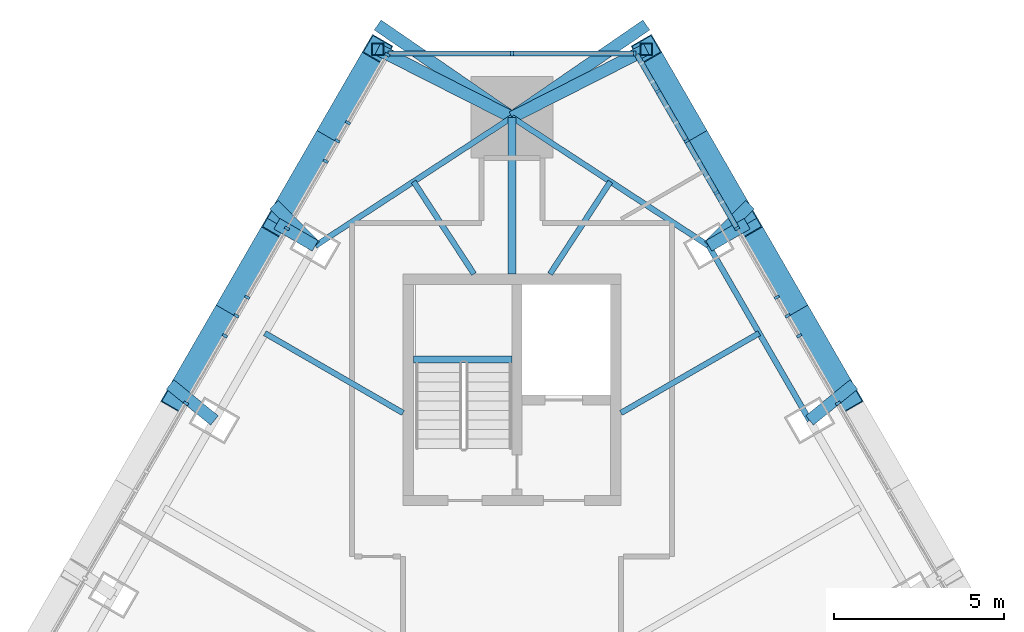
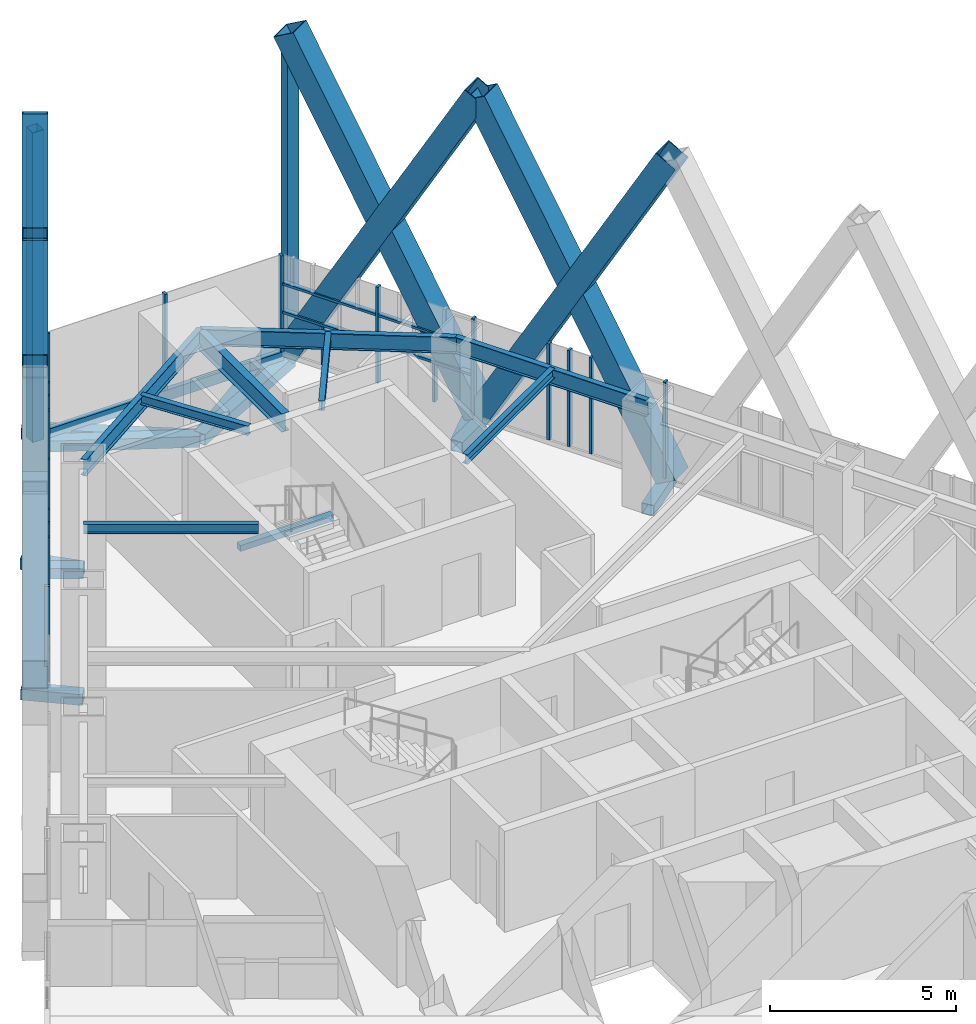
# One storey, part 9 of 23: 44 members, 9 beams, 3 elements without a shape of their own.
"""IFC4 building model written with IfcOpenShell, lengths in metres."""

from ifc_helpers import new_model, si_unit, direction, frame, origin, origin_2d, place, context, subcontext, project, spatial, rectangle, hollow_rectangle, i_section, extrude, material, layer, layer_set, material_profile, profile_set, type_object, element, aggregate, save


model = new_model("IFC4")

# Units and contexts
model_context = context("Model", 3, precision=1e-05, world=origin(), true_north=direction((0.0, 1.0)))
body_context = subcontext(model_context, "Body", "Model", "MODEL_VIEW")
ifc_project = project(units=[si_unit("LENGTHUNIT", "METRE"), si_unit("AREAUNIT", "SQUARE_METRE"), si_unit("VOLUMEUNIT", "CUBIC_METRE"), si_unit("PLANEANGLEUNIT", "RADIAN"), si_unit("MASSUNIT", "GRAM", prefix="KILO")], contexts=[model_context])

# Site, building, storey
site_placement = place(None, origin())
site = spatial("IfcSite", under=ifc_project, at=site_placement, CompositionType="ELEMENT")
building_placement = place(site_placement, origin())
building = spatial("IfcBuilding", under=site, at=building_placement, Name="Firuza Gate Tower and Library", CompositionType="ELEMENT")
storey_placement = place(building_placement, frame((0.0, 0.0, 312.60009765625)))
storey = spatial("IfcBuildingStorey", under=building, at=storey_placement, Name="L76", CompositionType="ELEMENT", Elevation=312.60009765625)

# Members
ifc_material_1 = material(Name="Steel S355", Category="steel")
ifc_material_profile_1 = material_profile(ifc_material_1, hollow_rectangle(XDim=0.699951171875, YDim=0.699951171875, WallThickness=0.030029296875, at=origin_2d()))
ifc_profile_set_1 = profile_set([ifc_material_profile_1], Name="Steel S355")
member_type_1 = type_object("IfcMemberType", Name="BU700x700x30 Lattice brace", PredefinedType="BRACE", material=ifc_profile_set_1)
for number, where, z_axis, x_axis, name in (
    (1, (84.866455078125, 90.9501953125, 0.0), (-0.245562118689, 0.425318288547, 0.87109333558), (-0.866021444707, -0.500006857261, 0.0), "Lattice brace E 20.6R"),
    (2, (81.906494140625, 96.076904296875, 0.0), (0.245562118689, -0.425318288547, 0.87109333558), (0.866021444707, 0.500006857261, 0.0), "Lattice brace E 20.6L"),
):
    element("IfcMember", number, at=place(storey_placement, frame(where, z_axis=z_axis, x_axis=x_axis)), inside=storey, type_object=member_type_1, Name=name, PredefinedType="BRACE", context=body_context, shape_type="SweptSolid", body=[
        extrude(hollow_rectangle(XDim=0.699951171875, YDim=0.699951171875, WallThickness=0.030029296875, at=origin_2d()), origin(), (0.0, 0.0, 1.0), 12.0537109375),
    ])
for number, where, z_axis, x_axis, name in (
    (3, (81.906494140625, 96.076904296875, 0.0), (-0.245579035861, 0.42533276314, 0.871081498911), (-0.866013897511, -0.50001992892, 0.0), "Lattice brace E 20.7R"),
    (4, (78.9462890625, 101.203857421875, 0.0), (0.245579035861, -0.42533276314, 0.871081498911), (0.866013897511, 0.50001992892, 0.0), "Lattice brace E 20.7L"),
    (5, (71.0537109375, 101.203857421875, 0.0), (-0.245579035861, -0.42533276314, 0.871081498911), (0.866013897511, -0.50001992892, 0.0), "Lattice brace W 20.1R"),
    (6, (68.093505859375, 96.076904296875, 0.0), (0.245579035861, 0.42533276314, 0.871081498911), (-0.866013897511, 0.50001992892, 0.0), "Lattice brace W 20.1L"),
):
    element("IfcMember", number, at=place(storey_placement, frame(where, z_axis=z_axis, x_axis=x_axis)), inside=storey, type_object=member_type_1, Name=name, PredefinedType="BRACE", context=body_context, shape_type="SweptSolid", body=[
        extrude(hollow_rectangle(XDim=0.699951171875, YDim=0.699951171875, WallThickness=0.030029296875, at=origin_2d()), origin(), (0.0, 0.0, 1.0), 12.053955078125),
    ])
for number, where, z_axis, x_axis, name in (
    (7, (68.093505859375, 96.076904296875, 0.0), (-0.245562118689, -0.425318288547, 0.87109333558), (0.866021444707, -0.500006857261, 0.0), "Lattice brace W 20.2R"),
    (8, (65.133544921875, 90.9501953125, 0.0), (0.245562118689, 0.425318288547, 0.87109333558), (-0.866021444707, 0.500006857261, 0.0), "Lattice brace W 20.2L"),
):
    element("IfcMember", number, at=place(storey_placement, frame(where, z_axis=z_axis, x_axis=x_axis)), inside=storey, type_object=member_type_1, Name=name, PredefinedType="BRACE", context=body_context, shape_type="SweptSolid", body=[
        extrude(hollow_rectangle(XDim=0.699951171875, YDim=0.699951171875, WallThickness=0.030029296875, at=origin_2d()), origin(), (0.0, 0.0, 1.0), 12.0537109375),
    ])

# Curtain wall, members
ifc_material_2 = material(Name="Aluminium 6063-T6", Category="aluminium")
ifc_layer_1 = layer(ifc_material_2, 0.14990234375)
ifc_layer_set_1 = layer_set([ifc_layer_1], Name="Unitised curtain wall, residences")
curtain_wall_type_1 = type_object("IfcCurtainWallType", Name="Unitised curtain wall, residences", PredefinedType="NOTDEFINED", material=ifc_layer_set_1)
placement = place(storey_placement, origin())
curtain_wall_1 = element("IfcCurtainWall", 9, at=placement, inside=storey, type_object=curtain_wall_type_1, Name="CW3 L76 E face", PredefinedType="NOTDEFINED")
ifc_material_3 = material(Name="Aluminium 6063-T6", Category="aluminium")
ifc_material_profile_2 = material_profile(ifc_material_3, rectangle(XDim=0.14990234375, YDim=0.080078125, at=origin_2d()))
ifc_profile_set_2 = profile_set([ifc_material_profile_2], Name="Aluminium 6063-T6")
member_type_2 = type_object("IfcMemberType", Name="Curtain wall mullion 80x150", PredefinedType="MULLION", material=ifc_profile_set_2)
member_1_placement = place(storey_placement, frame((84.57568359375, 90.8037109375, 0.14990234375), z_axis=(0.0, 0.0, 1.0), x_axis=(-0.866025403784, -0.5, 0.0)))
member_1 = element("IfcMember", 10, at=member_1_placement, type_object=member_type_2, Name="Mullion", PredefinedType="MULLION", context=body_context, shape_type="SweptSolid", body=[
    extrude(rectangle(XDim=0.14990234375, YDim=0.080078125, at=origin_2d()), origin(), (0.0, 0.0, 1.0), 3.14990234375),
])
member_2_placement = place(storey_placement, frame((83.092529296875, 93.37255859375, 0.14990234375), z_axis=(0.0, 0.0, 1.0), x_axis=(-0.866025403784, -0.5, 0.0)))
member_2 = element("IfcMember", 11, at=member_2_placement, type_object=member_type_2, Name="Mullion", PredefinedType="MULLION", context=body_context, shape_type="SweptSolid", body=[
    extrude(rectangle(XDim=0.14990234375, YDim=0.080078125, at=origin_2d()), origin(), (0.0, 0.0, 1.0), 3.14990234375),
])
member_3_placement = place(storey_placement, frame((81.609375, 95.941162109375, 0.14990234375), z_axis=(0.0, 0.0, 1.0), x_axis=(-0.866025403784, -0.5, 0.0)))
member_3 = element("IfcMember", 12, at=member_3_placement, type_object=member_type_2, Name="Mullion", PredefinedType="MULLION", context=body_context, shape_type="SweptSolid", body=[
    extrude(rectangle(XDim=0.14990234375, YDim=0.080078125, at=origin_2d()), origin(), (0.0, 0.0, 1.0), 3.14990234375),
])
member_4_placement = place(storey_placement, frame((80.12646484375, 98.510009765625, 0.14990234375), z_axis=(0.0, 0.0, 1.0), x_axis=(-0.866025403784, -0.5, 0.0)))
member_4 = element("IfcMember", 13, at=member_4_placement, type_object=member_type_2, Name="Mullion", PredefinedType="MULLION", context=body_context, shape_type="SweptSolid", body=[
    extrude(rectangle(XDim=0.14990234375, YDim=0.080078125, at=origin_2d()), origin(), (0.0, 0.0, 1.0), 3.14990234375),
])
member_5_placement = place(storey_placement, frame((83.43115234375, 92.785888671875, 0.14990234375), z_axis=(0.0, 0.0, 1.0), x_axis=(-0.866025403784, -0.5, 0.0)))
member_5 = element("IfcMember", 14, at=member_5_placement, type_object=member_type_2, Name="Mullion", PredefinedType="MULLION", context=body_context, shape_type="SweptSolid", body=[
    extrude(rectangle(XDim=0.14990234375, YDim=0.080078125, at=origin_2d()), origin(), (0.0, 0.0, 1.0), 3.14990234375),
])
member_6_placement = place(storey_placement, frame((82.778564453125, 93.916259765625, 0.14990234375), z_axis=(0.0, 0.0, 1.0), x_axis=(-0.866025403784, -0.5, 0.0)))
member_6 = element("IfcMember", 15, at=member_6_placement, type_object=member_type_2, Name="Mullion", PredefinedType="MULLION", context=body_context, shape_type="SweptSolid", body=[
    extrude(rectangle(XDim=0.14990234375, YDim=0.080078125, at=origin_2d()), origin(), (0.0, 0.0, 1.0), 3.14990234375),
])
member_7_placement = place(storey_placement, frame((81.004150390625, 96.989990234375, 0.14990234375), z_axis=(0.0, 0.0, 1.0), x_axis=(-0.866025403784, -0.5, 0.0)))
member_7 = element("IfcMember", 16, at=member_7_placement, type_object=member_type_2, Name="Mullion", PredefinedType="MULLION", context=body_context, shape_type="SweptSolid", body=[
    extrude(rectangle(XDim=0.14990234375, YDim=0.080078125, at=origin_2d()), origin(), (0.0, 0.0, 1.0), 1.260009765625),
])
member_8_placement = place(storey_placement, frame((79.285888671875, 99.966064453125, 0.14990234375), z_axis=(0.0, 0.0, 1.0), x_axis=(-0.866025403784, -0.5, 0.0)))
member_8 = element("IfcMember", 17, at=member_8_placement, type_object=member_type_2, Name="Mullion", PredefinedType="MULLION", context=body_context, shape_type="SweptSolid", body=[
    extrude(rectangle(XDim=0.14990234375, YDim=0.080078125, at=origin_2d()), origin(), (0.0, 0.0, 1.0), 1.260009765625),
])

ifc_material_4 = material(Name="Aluminium 6063-T6", Category="aluminium")
ifc_layer_2 = layer(ifc_material_4, 0.14990234375)
ifc_layer_set_2 = layer_set([ifc_layer_2], Name="Corner curtain wall, chamfers")
curtain_wall_type_2 = type_object("IfcCurtainWallType", Name="Corner curtain wall, chamfers", PredefinedType="NOTDEFINED", material=ifc_layer_set_2)
curtain_wall_2 = element("IfcCurtainWall", 18, at=placement, inside=storey, type_object=curtain_wall_type_2, Name="CW4 L76 N corner", PredefinedType="NOTDEFINED")
member_9_placement = place(storey_placement, frame((78.603271484375, 101.078857421875, 0.14990234375), z_axis=(0.0, 0.0, 1.0), x_axis=(0.0, -1.0, 0.0)))
member_9 = element("IfcMember", 19, at=member_9_placement, type_object=member_type_2, Name="Mullion", PredefinedType="MULLION", context=body_context, shape_type="SweptSolid", body=[
    extrude(rectangle(XDim=0.14990234375, YDim=0.080078125, at=origin_2d()), origin(), (0.0, 0.0, 1.0), 3.14990234375),
])
member_10_placement = place(storey_placement, frame((75.0, 101.078857421875, 0.14990234375), z_axis=(0.0, 0.0, 1.0), x_axis=(0.0, -1.0, 0.0)))
member_10 = element("IfcMember", 20, at=member_10_placement, type_object=member_type_2, Name="Mullion", PredefinedType="MULLION", context=body_context, shape_type="SweptSolid", body=[
    extrude(rectangle(XDim=0.14990234375, YDim=0.080078125, at=origin_2d()), origin(), (0.0, 0.0, 1.0), 3.14990234375),
])

curtain_wall_3 = element("IfcCurtainWall", 21, at=placement, inside=storey, type_object=curtain_wall_type_1, Name="CW3 L76 W face", PredefinedType="NOTDEFINED")
member_11_placement = place(storey_placement, frame((71.336669921875, 101.044189453125, 0.14990234375), z_axis=(0.0, 0.0, 1.0), x_axis=(0.866025403784, -0.5, 0.0)))
member_11 = element("IfcMember", 22, at=member_11_placement, type_object=member_type_2, Name="Mullion", PredefinedType="MULLION", context=body_context, shape_type="SweptSolid", body=[
    extrude(rectangle(XDim=0.14990234375, YDim=0.080078125, at=origin_2d()), origin(), (0.0, 0.0, 1.0), 3.14990234375),
])
member_12_placement = place(storey_placement, frame((69.87353515625, 98.510009765625, 0.14990234375), z_axis=(0.0, 0.0, 1.0), x_axis=(0.866025403784, -0.5, 0.0)))
member_12 = element("IfcMember", 23, at=member_12_placement, type_object=member_type_2, Name="Mullion", PredefinedType="MULLION", context=body_context, shape_type="SweptSolid", body=[
    extrude(rectangle(XDim=0.14990234375, YDim=0.080078125, at=origin_2d()), origin(), (0.0, 0.0, 1.0), 3.14990234375),
])
member_13_placement = place(storey_placement, frame((68.390625, 95.941162109375, 0.14990234375), z_axis=(0.0, 0.0, 1.0), x_axis=(0.866025403784, -0.5, 0.0)))
member_13 = element("IfcMember", 24, at=member_13_placement, type_object=member_type_2, Name="Mullion", PredefinedType="MULLION", context=body_context, shape_type="SweptSolid", body=[
    extrude(rectangle(XDim=0.14990234375, YDim=0.080078125, at=origin_2d()), origin(), (0.0, 0.0, 1.0), 3.14990234375),
])
member_14_placement = place(storey_placement, frame((66.907470703125, 93.37255859375, 0.14990234375), z_axis=(0.0, 0.0, 1.0), x_axis=(0.866025403784, -0.5, 0.0)))
member_14 = element("IfcMember", 25, at=member_14_placement, type_object=member_type_2, Name="Mullion", PredefinedType="MULLION", context=body_context, shape_type="SweptSolid", body=[
    extrude(rectangle(XDim=0.14990234375, YDim=0.080078125, at=origin_2d()), origin(), (0.0, 0.0, 1.0), 3.14990234375),
])
member_15_placement = place(storey_placement, frame((65.42431640625, 90.8037109375, 0.14990234375), z_axis=(0.0, 0.0, 1.0), x_axis=(0.866025403784, -0.5, 0.0)))
member_15 = element("IfcMember", 26, at=member_15_placement, type_object=member_type_2, Name="Mullion", PredefinedType="MULLION", context=body_context, shape_type="SweptSolid", body=[
    extrude(rectangle(XDim=0.14990234375, YDim=0.080078125, at=origin_2d()), origin(), (0.0, 0.0, 1.0), 3.14990234375),
])
member_16_placement = place(storey_placement, frame((70.181396484375, 99.043212890625, 0.14990234375), z_axis=(0.0, 0.0, 1.0), x_axis=(0.866025403784, -0.5, 0.0)))
member_16 = element("IfcMember", 27, at=member_16_placement, type_object=member_type_2, Name="Mullion", PredefinedType="MULLION", context=body_context, shape_type="SweptSolid", body=[
    extrude(rectangle(XDim=0.14990234375, YDim=0.080078125, at=origin_2d()), origin(), (0.0, 0.0, 1.0), 3.14990234375),
])
member_17_placement = place(storey_placement, frame((69.52880859375, 97.912841796875, 0.14990234375), z_axis=(0.0, 0.0, 1.0), x_axis=(0.866025403784, -0.5, 0.0)))
member_17 = element("IfcMember", 28, at=member_17_placement, type_object=member_type_2, Name="Mullion", PredefinedType="MULLION", context=body_context, shape_type="SweptSolid", body=[
    extrude(rectangle(XDim=0.14990234375, YDim=0.080078125, at=origin_2d()), origin(), (0.0, 0.0, 1.0), 3.14990234375),
])
member_18_placement = place(storey_placement, frame((67.221435546875, 93.916259765625, 0.14990234375), z_axis=(0.0, 0.0, 1.0), x_axis=(0.866025403784, -0.5, 0.0)))
member_18 = element("IfcMember", 29, at=member_18_placement, type_object=member_type_2, Name="Mullion", PredefinedType="MULLION", context=body_context, shape_type="SweptSolid", body=[
    extrude(rectangle(XDim=0.14990234375, YDim=0.080078125, at=origin_2d()), origin(), (0.0, 0.0, 1.0), 3.14990234375),
])
member_19_placement = place(storey_placement, frame((66.56884765625, 92.785888671875, 0.14990234375), z_axis=(0.0, 0.0, 1.0), x_axis=(0.866025403784, -0.5, 0.0)))
member_19 = element("IfcMember", 30, at=member_19_placement, type_object=member_type_2, Name="Mullion", PredefinedType="MULLION", context=body_context, shape_type="SweptSolid", body=[
    extrude(rectangle(XDim=0.14990234375, YDim=0.080078125, at=origin_2d()), origin(), (0.0, 0.0, 1.0), 3.14990234375),
])
aggregate(curtain_wall_3, [member_11, member_12, member_13, member_14, member_15, member_16, member_17, member_18, member_19])

# Member
ifc_material_5 = material(Name="Aluminium 6063-T6", Category="aluminium")
ifc_material_profile_3 = material_profile(ifc_material_5, rectangle(XDim=0.14990234375, YDim=0.35009765625, at=origin_2d()))
ifc_profile_set_3 = profile_set([ifc_material_profile_3], Name="Aluminium 6063-T6")
member_type_3 = type_object("IfcMemberType", Name="Curtain wall transom 350x150", PredefinedType="USERDEFINED", material=ifc_profile_set_3)
member_20_placement = place(storey_placement, frame((78.643310546875, 101.078857421875, -0.025146484375), z_axis=(-1.0, 0.0, 0.0), x_axis=(0.0, -1.0, 0.0)))
member_20 = element("IfcMember", 31, at=member_20_placement, type_object=member_type_3, Name="Transom", ObjectType="TRANSOM", PredefinedType="USERDEFINED", context=body_context, shape_type="SweptSolid", body=[
    extrude(rectangle(XDim=0.14990234375, YDim=0.35009765625, at=origin_2d()), origin(), (0.0, 0.0, 1.0), 7.28662109375),
])

aggregate(curtain_wall_2, [member_9, member_10, member_20])

ifc_material_6 = material(Name="Aluminium 6063-T6", Category="aluminium")
ifc_material_profile_4 = material_profile(ifc_material_6, rectangle(XDim=0.14990234375, YDim=0.080078125, at=origin_2d()))
ifc_profile_set_4 = profile_set([ifc_material_profile_4], Name="Aluminium 6063-T6")
member_type_4 = type_object("IfcMemberType", Name="Curtain wall transom 80x150", PredefinedType="USERDEFINED", material=ifc_profile_set_4)
member_21_placement = place(storey_placement, frame((81.589599609375, 95.975830078125, 1.449951171875), z_axis=(-0.500005579313, 0.866022182542, 0.0), x_axis=(-0.866022182542, -0.500005579313, 0.0)))
member_21 = element("IfcMember", 32, at=member_21_placement, type_object=member_type_4, Name="Transom", ObjectType="TRANSOM", PredefinedType="USERDEFINED", context=body_context, shape_type="SweptSolid", body=[
    extrude(rectangle(XDim=0.14990234375, YDim=0.080078125, at=origin_2d()), origin(), (0.0, 0.0, 1.0), 2.88623046875),
])

member_22_placement = place(storey_placement, frame((81.589599609375, 95.975830078125, 2.375), z_axis=(-0.500005579313, 0.866022182542, 0.0), x_axis=(-0.866022182542, -0.500005579313, 0.0)))
member_22 = element("IfcMember", 33, at=member_22_placement, type_object=member_type_4, Name="Transom", ObjectType="TRANSOM", PredefinedType="USERDEFINED", context=body_context, shape_type="SweptSolid", body=[
    extrude(rectangle(XDim=0.14990234375, YDim=0.080078125, at=origin_2d()), origin(), (0.0, 0.0, 1.0), 2.88623046875),
])

member_23_placement = place(storey_placement, frame((80.1064453125, 98.544677734375, 1.449951171875), z_axis=(-0.500005579313, 0.866022182542, 0.0), x_axis=(-0.866022182542, -0.500005579313, 0.0)))
member_23 = element("IfcMember", 34, at=member_23_placement, type_object=member_type_4, Name="Transom", ObjectType="TRANSOM", PredefinedType="USERDEFINED", context=body_context, shape_type="SweptSolid", body=[
    extrude(rectangle(XDim=0.14990234375, YDim=0.080078125, at=origin_2d()), origin(), (0.0, 0.0, 1.0), 2.88623046875),
])

member_24_placement = place(storey_placement, frame((80.1064453125, 98.544677734375, 2.375), z_axis=(-0.500005579313, 0.866022182542, 0.0), x_axis=(-0.866022182542, -0.500005579313, 0.0)))
member_24 = element("IfcMember", 35, at=member_24_placement, type_object=member_type_4, Name="Transom", ObjectType="TRANSOM", PredefinedType="USERDEFINED", context=body_context, shape_type="SweptSolid", body=[
    extrude(rectangle(XDim=0.14990234375, YDim=0.080078125, at=origin_2d()), origin(), (0.0, 0.0, 1.0), 2.88623046875),
])

aggregate(curtain_wall_1, [member_1, member_2, member_3, member_4, member_5, member_6, member_7, member_21, member_22, member_8, member_23, member_24])

# Members
ifc_material_7 = material(Name="Steel S355", Category="steel")
ifc_material_profile_5 = material_profile(ifc_material_7, hollow_rectangle(XDim=0.355712890625, YDim=0.355712890625, WallThickness=0.014892578125, at=origin_2d()))
ifc_profile_set_5 = profile_set([ifc_material_profile_5], Name="Steel S355")
member_type_5 = type_object("IfcMemberType", Name="HSS356x356x16 Lattice corner stile", PredefinedType="BRACE", material=ifc_profile_set_5)
for number, where, z_axis, x_axis, name in (
    (36, (78.9462890625, 101.203857421875, -0.14013671875), (0.0, 0.0, 1.0), (1.0, 0.0, 0.0), "Lattice corner stile E 20.B"),
    (37, (71.0537109375, 101.203857421875, -0.14013671875), (0.0, 0.0, 1.0), (1.0, 0.0, 0.0), "Lattice corner stile W 20.A"),
):
    element("IfcMember", number, at=place(storey_placement, frame(where, z_axis=z_axis, x_axis=x_axis)), inside=storey, type_object=member_type_5, Name=name, PredefinedType="BRACE", context=body_context, shape_type="SweptSolid", body=[
        extrude(hollow_rectangle(XDim=0.355712890625, YDim=0.355712890625, WallThickness=0.014892578125, at=origin_2d()), origin(), (0.0, 0.0, 1.0), 10.14013671875),
    ])
ifc_material_8 = material(Name="Steel S355", Category="steel")
ifc_material_profile_6 = material_profile(ifc_material_8, hollow_rectangle(XDim=0.355712890625, YDim=0.355712890625, WallThickness=0.014892578125, at=origin_2d()))
ifc_profile_set_6 = profile_set([ifc_material_profile_6], Name="Steel S355")
member_type_6 = type_object("IfcMemberType", Name="HSS356x356x16 Lattice node tie", PredefinedType="BRACE", material=ifc_profile_set_6)
member_25_placement = place(storey_placement, frame((75.0, 99.203857421875, -0.320068359375), z_axis=(0.824226369594, 0.566260445084, 0.0), x_axis=(-0.566260445084, 0.824226369594, 0.0)))
element("IfcMember", 38, at=member_25_placement, inside=storey, type_object=member_type_6, Name="Lattice node tie E L76 529", PredefinedType="BRACE", context=body_context, shape_type="SweptSolid", body=[
    extrude(hollow_rectangle(XDim=0.355712890625, YDim=0.355712890625, WallThickness=0.014892578125, at=origin_2d()), origin(), (0.0, 0.0, 1.0), 4.787841796875),
])
member_26_placement = place(storey_placement, frame((75.0, 99.203857421875, -0.320068359375), z_axis=(0.891985934506, 0.452063151168, 0.0), x_axis=(-0.452063151168, 0.891985934506, 0.0)))
element("IfcMember", 39, at=member_26_placement, inside=storey, type_object=member_type_6, Name="Lattice node tie E L76 530", PredefinedType="BRACE", context=body_context, shape_type="SweptSolid", body=[
    extrude(hollow_rectangle(XDim=0.355712890625, YDim=0.355712890625, WallThickness=0.014892578125, at=origin_2d()), origin(), (0.0, 0.0, 1.0), 4.424072265625),
])
member_27_placement = place(storey_placement, frame((80.780517578125, 95.427001953125, -0.320068359375), z_axis=(0.70860164126, 0.7056087542, 0.0), x_axis=(-0.7056087542, 0.70860164126, 0.0)))
element("IfcMember", 40, at=member_27_placement, inside=storey, type_object=member_type_6, Name="Lattice node tie E L76 531", PredefinedType="BRACE", context=body_context, shape_type="SweptSolid", body=[
    extrude(hollow_rectangle(XDim=0.355712890625, YDim=0.355712890625, WallThickness=0.014892578125, at=origin_2d()), origin(), (0.0, 0.0, 1.0), 1.713134765625),
])
member_28_placement = place(storey_placement, frame((80.780517578125, 95.427001953125, -0.320068359375), z_axis=(0.866085525409, 0.49989585183, 0.0), x_axis=(-0.49989585183, 0.866085525409, 0.0)))
element("IfcMember", 41, at=member_28_placement, inside=storey, type_object=member_type_6, Name="Lattice node tie E L76 532", PredefinedType="BRACE", context=body_context, shape_type="SweptSolid", body=[
    extrude(hollow_rectangle(XDim=0.355712890625, YDim=0.355712890625, WallThickness=0.014892578125, at=origin_2d()), origin(), (0.0, 0.0, 1.0), 1.300048828125),
])
for number, where, z_axis, x_axis, name in (
    (42, (83.740478515625, 90.300048828125, -0.320068359375), (0.7764746138, 0.630148533382, 0.0), (-0.630148533382, 0.7764746138, 0.0), "Lattice node tie E L76 533"),
    (43, (66.259521484375, 90.300048828125, -0.320068359375), (-0.7764746138, 0.630148533382, 0.0), (-0.630148533382, -0.7764746138, 0.0), "Lattice node tie W L76 560"),
):
    element("IfcMember", number, at=place(storey_placement, frame(where, z_axis=z_axis, x_axis=x_axis)), inside=storey, type_object=member_type_6, Name=name, PredefinedType="BRACE", context=body_context, shape_type="SweptSolid", body=[
        extrude(hollow_rectangle(XDim=0.355712890625, YDim=0.355712890625, WallThickness=0.014892578125, at=origin_2d()), origin(), (0.0, 0.0, 1.0), 1.6767578125),
    ])
member_29_placement = place(storey_placement, frame((69.219482421875, 95.427001953125, -0.320068359375), z_axis=(-0.70860164126, 0.7056087542, 0.0), x_axis=(-0.7056087542, -0.70860164126, 0.0)))
element("IfcMember", 44, at=member_29_placement, inside=storey, type_object=member_type_6, Name="Lattice node tie W L76 561", PredefinedType="BRACE", context=body_context, shape_type="SweptSolid", body=[
    extrude(hollow_rectangle(XDim=0.355712890625, YDim=0.355712890625, WallThickness=0.014892578125, at=origin_2d()), origin(), (0.0, 0.0, 1.0), 1.713134765625),
])
member_30_placement = place(storey_placement, frame((69.219482421875, 95.427001953125, -0.320068359375), z_axis=(-0.866085525409, 0.49989585183, 0.0), x_axis=(-0.49989585183, -0.866085525409, 0.0)))
element("IfcMember", 45, at=member_30_placement, inside=storey, type_object=member_type_6, Name="Lattice node tie W L76 562", PredefinedType="BRACE", context=body_context, shape_type="SweptSolid", body=[
    extrude(hollow_rectangle(XDim=0.355712890625, YDim=0.355712890625, WallThickness=0.014892578125, at=origin_2d()), origin(), (0.0, 0.0, 1.0), 1.300048828125),
])
member_31_placement = place(storey_placement, frame((75.0, 99.203857421875, -0.320068359375), z_axis=(-0.824226369594, 0.566260445084, 0.0), x_axis=(-0.566260445084, -0.824226369594, 0.0)))
element("IfcMember", 46, at=member_31_placement, inside=storey, type_object=member_type_6, Name="Lattice node tie W L76 563", PredefinedType="BRACE", context=body_context, shape_type="SweptSolid", body=[
    extrude(hollow_rectangle(XDim=0.355712890625, YDim=0.355712890625, WallThickness=0.014892578125, at=origin_2d()), origin(), (0.0, 0.0, 1.0), 4.787841796875),
])
member_32_placement = place(storey_placement, frame((75.0, 99.203857421875, -0.320068359375), z_axis=(-0.891985934506, 0.452063151168, 0.0), x_axis=(-0.452063151168, -0.891985934506, 0.0)))
element("IfcMember", 47, at=member_32_placement, inside=storey, type_object=member_type_6, Name="Lattice node tie W L76 564", PredefinedType="BRACE", context=body_context, shape_type="SweptSolid", body=[
    extrude(hollow_rectangle(XDim=0.355712890625, YDim=0.355712890625, WallThickness=0.014892578125, at=origin_2d()), origin(), (0.0, 0.0, 1.0), 4.424072265625),
])

# Beams
ifc_material_9 = material(Name="Concrete C35/45", Category="concrete")
ifc_material_profile_7 = material_profile(ifc_material_9, rectangle(XDim=0.199951171875, YDim=0.199951171875, at=origin_2d()))
ifc_profile_set_7 = profile_set([ifc_material_profile_7], Name="Concrete C35/45")
beam_type_1 = type_object("IfcBeamType", Name="Stair landing bearer 200x200", PredefinedType="BEAM", material=ifc_profile_set_7)
beam_1_placement = place(storey_placement, frame((75.0, 92.090087890625, 1.449951171875), z_axis=(-1.0, 0.0, 0.0), x_axis=(0.0, -1.0, 0.0)))
element("IfcBeam", 48, at=beam_1_placement, inside=storey, type_object=beam_type_1, Name="Landing bearer L76 stair 3", PredefinedType="BEAM", context=body_context, shape_type="SweptSolid", body=[
    extrude(rectangle(XDim=0.199951171875, YDim=0.199951171875, at=origin_2d()), origin(), (0.0, 0.0, 1.0), 2.89990234375),
])
ifc_material_10 = material(Name="Steel S355", Category="steel")
ifc_material_profile_8 = material_profile(ifc_material_10, i_section(OverallWidth=0.1650390625, OverallDepth=0.31005859375, WebThickness=0.005859375, FlangeThickness=0.009765625, at=origin_2d()))
ifc_profile_set_8 = profile_set([ifc_material_profile_8], Name="Steel S355")
beam_type_2 = type_object("IfcBeamType", Name="W310x39 Floor beam", PredefinedType="JOIST", material=ifc_profile_set_8)
beam_2_placement = place(storey_placement, frame((82.260498046875, 92.863525390625, 3.14501953125), z_axis=(-0.866036444415, -0.49998087658, 0.0), x_axis=(0.49998087658, -0.866036444415, 0.0)))
element("IfcBeam", 49, at=beam_2_placement, inside=storey, type_object=beam_type_2, Name="Floor beam L76 s54", PredefinedType="JOIST", context=body_context, shape_type="SweptSolid", body=[
    extrude(i_section(OverallWidth=0.1650390625, OverallDepth=0.31005859375, WebThickness=0.005859375, FlangeThickness=0.009765625, at=origin_2d()), origin(), (0.0, 0.0, 1.0), 4.688720703125),
])
for number, where, z_axis, x_axis, name in (
    (50, (77.890380859375, 97.3154296875, 3.14501953125), (-0.546981641659, -0.837144601421, 0.0), (0.837144601421, -0.546981641659, 0.0), "Floor beam L76 s60"),
    (51, (72.109619140625, 97.3154296875, 3.14501953125), (0.546981641659, -0.837144601421, 0.0), (0.837144601421, 0.546981641659, 0.0), "Floor beam L76 s70"),
):
    element("IfcBeam", number, at=place(storey_placement, frame(where, z_axis=z_axis, x_axis=x_axis)), inside=storey, type_object=beam_type_2, Name=name, PredefinedType="JOIST", context=body_context, shape_type="SweptSolid", body=[
        extrude(i_section(OverallWidth=0.1650390625, OverallDepth=0.31005859375, WebThickness=0.005859375, FlangeThickness=0.009765625, at=origin_2d()), origin(), (0.0, 0.0, 1.0), 3.24365234375),
    ])
beam_3_placement = place(storey_placement, frame((67.739501953125, 92.863525390625, 3.14501953125), z_axis=(0.866036444415, -0.49998087658, 0.0), x_axis=(0.49998087658, 0.866036444415, 0.0)))
element("IfcBeam", 52, at=beam_3_placement, inside=storey, type_object=beam_type_2, Name="Floor beam L76 s80", PredefinedType="JOIST", context=body_context, shape_type="SweptSolid", body=[
    extrude(i_section(OverallWidth=0.1650390625, OverallDepth=0.31005859375, WebThickness=0.005859375, FlangeThickness=0.009765625, at=origin_2d()), origin(), (0.0, 0.0, 1.0), 4.688720703125),
])
ifc_material_11 = material(Name="Steel S355", Category="steel")
ifc_material_profile_9 = material_profile(ifc_material_11, i_section(OverallWidth=0.166015625, OverallDepth=0.534912109375, WebThickness=0.01025390625, FlangeThickness=0.0166015625, at=origin_2d()))
ifc_profile_set_9 = profile_set([ifc_material_profile_9], Name="Steel S355")
beam_type_3 = type_object("IfcBeamType", Name="W530x85 Edge beam", PredefinedType="SPANDREL", material=ifc_profile_set_9)
beam_4_placement = place(storey_placement, frame((83.740478515625, 90.300048828125, 3.032470703125), z_axis=(-0.499988999718, 0.866031754707, 0.0), x_axis=(-0.866031754707, -0.499988999718, 0.0)))
element("IfcBeam", 53, at=beam_4_placement, inside=storey, type_object=beam_type_3, Name="Edge beam L76 e54", PredefinedType="SPANDREL", context=body_context, shape_type="SweptSolid", body=[
    extrude(i_section(OverallWidth=0.166015625, OverallDepth=0.534912109375, WebThickness=0.01025390625, FlangeThickness=0.0166015625, at=origin_2d()), origin(), (0.0, 0.0, 1.0), 5.920166015625),
])
for number, where, z_axis, x_axis, name in (
    (54, (80.780517578125, 95.427001953125, 3.032470703125), (-0.837149578366, 0.546974024467, 0.0), (-0.546974024467, -0.837149578366, 0.0), "Edge beam L76 e60"),
    (55, (75.0, 99.203857421875, 3.032470703125), (-0.837149578366, -0.546974024467, 0.0), (0.546974024467, -0.837149578366, 0.0), "Edge beam L76 e70"),
):
    element("IfcBeam", number, at=place(storey_placement, frame(where, z_axis=z_axis, x_axis=x_axis)), inside=storey, type_object=beam_type_3, Name=name, PredefinedType="SPANDREL", context=body_context, shape_type="SweptSolid", body=[
        extrude(i_section(OverallWidth=0.166015625, OverallDepth=0.534912109375, WebThickness=0.01025390625, FlangeThickness=0.0166015625, at=origin_2d()), origin(), (0.0, 0.0, 1.0), 6.905029296875),
    ])
ifc_material_12 = material(Name="Steel S355", Category="steel")
ifc_material_profile_10 = material_profile(ifc_material_12, i_section(OverallWidth=0.22802734375, OverallDepth=0.60302734375, WebThickness=0.010498046875, FlangeThickness=0.014892578125, at=origin_2d()))
ifc_profile_set_10 = profile_set([ifc_material_profile_10], Name="Steel S355")
beam_type_4 = type_object("IfcBeamType", Name="W610x101 Girder", PredefinedType="BEAM", material=ifc_profile_set_10)
beam_5_placement = place(storey_placement, frame((75.0, 99.203857421875, 2.998291015625), z_axis=(0.0, -1.0, 0.0), x_axis=(1.0, 0.0, 0.0)))
element("IfcBeam", 56, at=beam_5_placement, inside=storey, type_object=beam_type_4, Name="Girder L76 gN", PredefinedType="BEAM", context=body_context, shape_type="SweptSolid", body=[
    extrude(i_section(OverallWidth=0.22802734375, OverallDepth=0.60302734375, WebThickness=0.010498046875, FlangeThickness=0.014892578125, at=origin_2d()), origin(), (0.0, 0.0, 1.0), 4.603759765625),
])

save(model, "model.ifc")
